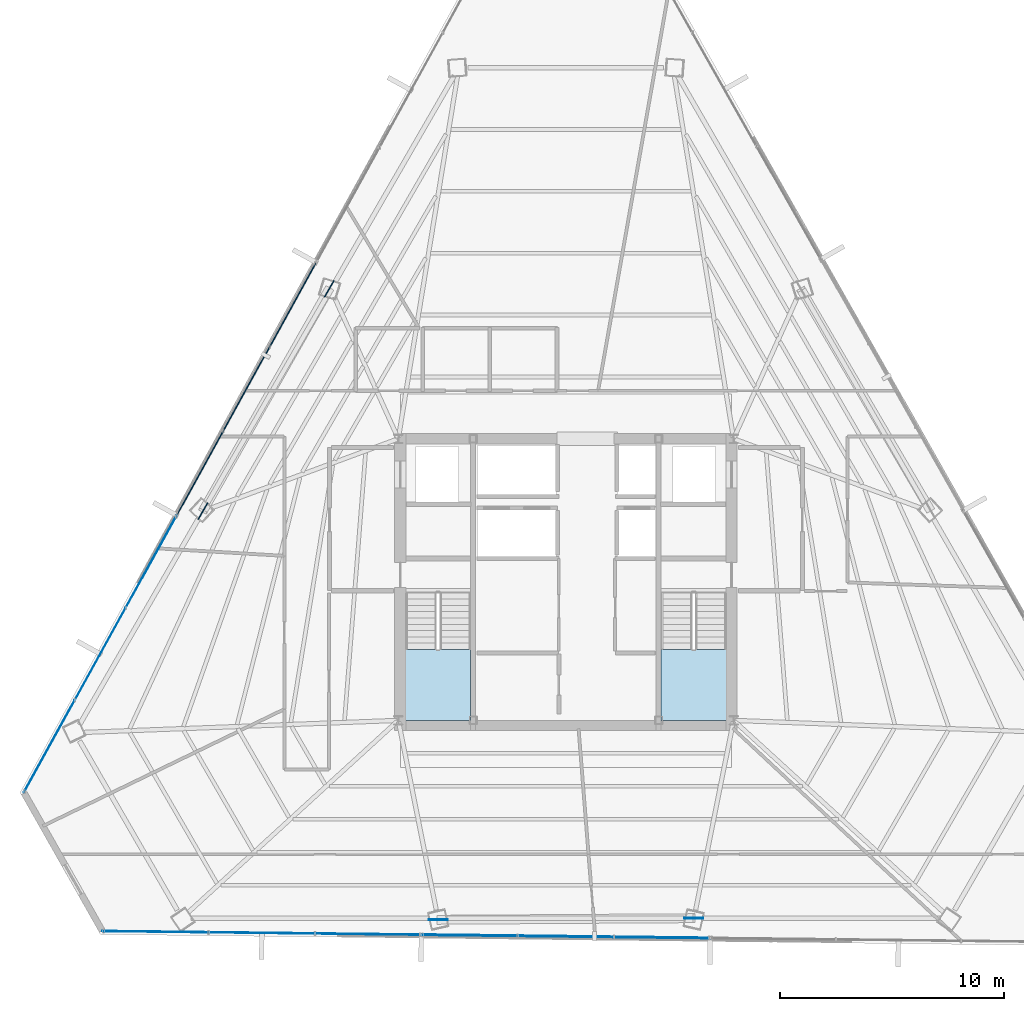
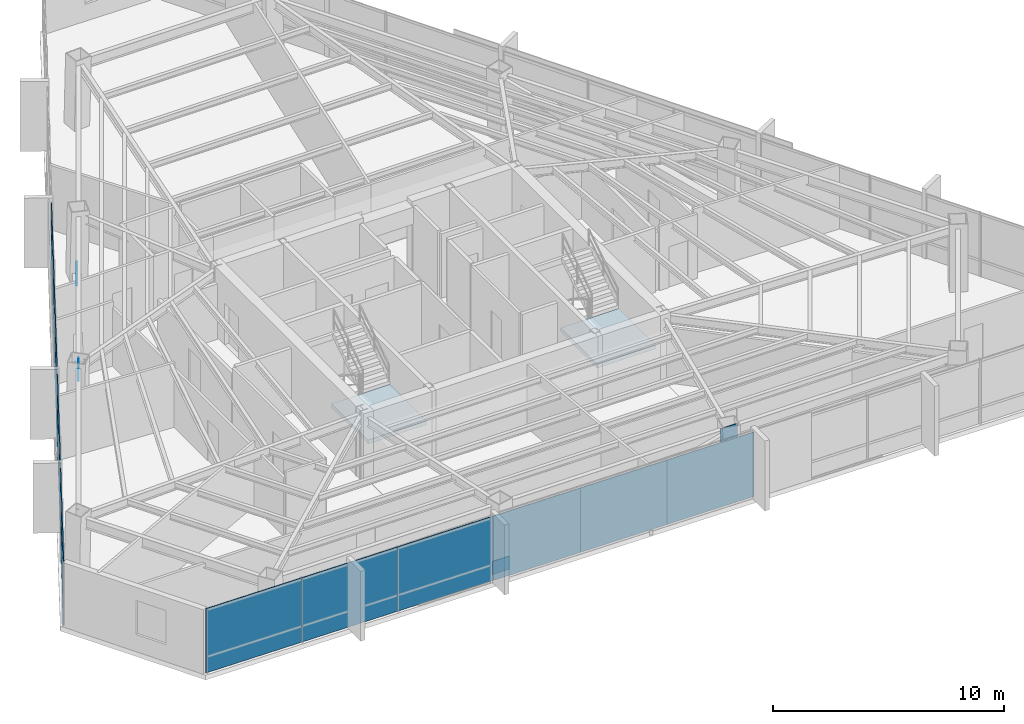
# One storey, part 33 of 40: 16 plates, 2 slabs, 6 elements without a shape of their own.
"""IFC4 building model written with IfcOpenShell, lengths in metres."""

from ifc_helpers import new_model, si_unit, direction, frame, origin, origin_2d, place, context, subcontext, project, spatial, polyline, rectangle, outline, extrude, source, transform, mapped, material, layer, layer_set, type_object, type_shapes, element, aggregate, save


model = new_model("IFC4")

# Units and contexts
model_context = context("Model", 3, precision=1e-05, world=origin(), true_north=direction((0.0, 1.0)))
body_context = subcontext(model_context, "Body", "Model", "MODEL_VIEW")
ifc_project = project(units=[si_unit("LENGTHUNIT", "METRE"), si_unit("AREAUNIT", "SQUARE_METRE"), si_unit("VOLUMEUNIT", "CUBIC_METRE"), si_unit("PLANEANGLEUNIT", "RADIAN"), si_unit("MASSUNIT", "GRAM", prefix="KILO")], contexts=[model_context])

# Site, building, storey
site_placement = place(None, origin())
site = spatial("IfcSite", under=ifc_project, at=site_placement, CompositionType="ELEMENT")
building_placement = place(site_placement, origin())
building = spatial("IfcBuilding", under=site, at=building_placement, Name="Caelisora Broadcast Tower", CompositionType="ELEMENT")
storey_placement = place(building_placement, frame((0.0, 0.0, 213.25)))
storey = spatial("IfcBuildingStorey", under=building, at=storey_placement, Name="L56", CompositionType="ELEMENT", Elevation=213.25)

# Stair, slab
ifc_material_1 = material(Name="Concrete 40 MPa (AS 3600 N40)", Category="concrete")
stair_type_1 = type_object("IfcStairType", Name="ST-1", PredefinedType="HALF_TURN_STAIR", material=ifc_material_1)
stair_1_placement = place(storey_placement, origin())
stair_1 = element("IfcStair", 1, at=stair_1_placement, inside=storey, type_object=stair_type_1, Name="L56 West Fire-Isolated Tower Stair", PredefinedType="HALF_TURN_STAIR")
ifc_layer_1 = layer(ifc_material_1, 0.199951171875, Name="Concrete 40 MPa (AS 3600 N40)")
ifc_layer_set_1 = layer_set([ifc_layer_1], Name="Concrete 40 MPa (AS 3600 N40)")
slab_type = type_object("IfcSlabType", Name="STL-1", PredefinedType="LANDING", material=ifc_layer_set_1)
slab_1_placement = place(storey_placement, frame((0.0, 0.0, 1.625)))
slab_1 = element("IfcSlab", 2, at=slab_1_placement, type_object=slab_type, Name="ST-1 landing 1", PredefinedType="LANDING", context=body_context, shape_type="SweptSolid", body=[
    extrude(outline(polyline([(30.820068359375, 20.580078125), (30.820068359375, 17.39990234375), (33.739990234375, 17.39990234375), (33.739990234375, 20.580078125), (30.820068359375, 20.580078125)])), origin(), (0.0, 0.0, 1.0), 0.199951171875),
])
aggregate(stair_1, [slab_1])

stair_type_2 = type_object("IfcStairType", Name="ST-2", PredefinedType="HALF_TURN_STAIR", material=ifc_material_1)
stair_2_placement = place(storey_placement, origin())
stair_2 = element("IfcStair", 3, at=stair_2_placement, inside=storey, type_object=stair_type_2, Name="L56 East Fire-Isolated Tower Stair", PredefinedType="HALF_TURN_STAIR")
slab_2_placement = place(storey_placement, frame((0.0, 0.0, 1.625)))
slab_2 = element("IfcSlab", 4, at=slab_2_placement, type_object=slab_type, Name="ST-2 landing 1", PredefinedType="LANDING", context=body_context, shape_type="SweptSolid", body=[
    extrude(outline(polyline([(42.260009765625, 20.580078125), (42.260009765625, 17.39990234375), (45.179931640625, 17.39990234375), (45.179931640625, 20.580078125), (42.260009765625, 20.580078125)])), origin(), (0.0, 0.0, 1.0), 0.199951171875),
])
aggregate(stair_2, [slab_2])

# Plates
ifc_material_2 = material(Name="Steel Grade 350 L15 (AS/NZS 3678)", Category="steel")
ifc_layer_2 = layer(ifc_material_2, 0.0400390625, Name="Steel Grade 350 L15 (AS/NZS 3678)")
ifc_layer_set_2 = layer_set([ifc_layer_2], Name="Steel Grade 350 L15 (AS/NZS 3678)")
plate_type_1 = type_object("IfcPlateType", Name="GP04", PredefinedType="USERDEFINED", material=ifc_layer_set_2)
shared_shape_1 = source(origin(), body_context, "Body", "SweptSolid", [
    extrude(rectangle(XDim=0.85009765625, YDim=0.0400390625, at=origin_2d()), origin(), (0.0, 0.0, 1.0), 0.699951171875),
])
type_shapes(plate_type_1, [shared_shape_1])
for number, where, z_axis, x_axis, name in (
    (5, (27.412353515625, 36.707275390625, -0.22998046875), (0.0, 0.0, 1.0), (-0.5, -0.866025403784, 0.0), "L56 gusset plate GP04 (ND-L56-C02B)"),
    (6, (21.755859375, 26.765380859375, 2.72998046875), (0.0, 0.0, 1.0), (-0.5, -0.866025403784, 0.0), "L56 gusset plate GP04 (ND-L56-C03T)"),
    (7, (32.2890625, 8.477294921875, -0.22998046875), (0.0, 0.0, 1.0), (1.0, 0.0, 0.0), "L56 gusset plate GP04 (ND-L56-C06B)"),
    (8, (43.727294921875, 8.549560546875, 2.72998046875), (0.0, 0.0, 1.0), (1.0, 0.0, 0.0), "L56 gusset plate GP04 (ND-L56-C07T)"),
):
    element("IfcPlate", number, at=place(storey_placement, frame(where, z_axis=z_axis, x_axis=x_axis)), inside=storey, type_object=plate_type_1, Name=name, ObjectType="GUSSET PLATE", PredefinedType="USERDEFINED", context=body_context, shape_type="MappedRepresentation", body=[
        mapped(shared_shape_1, transform((0.0, 0.0, 0.0), scale=1.0)),
    ])

# Curtain wall, plates
ifc_material_3 = material(Name="Unitised Aluminium Insulated Shadow-Box Spandrel Curtain Wall", Category="aluminium")
curtain_wall_type_1 = type_object("IfcCurtainWallType", Name="CW-SP2", PredefinedType="NOTDEFINED", material=ifc_material_3)
curtain_wall_1_placement = place(storey_placement, origin())
curtain_wall_1 = element("IfcCurtainWall", 9, at=curtain_wall_1_placement, inside=storey, type_object=curtain_wall_type_1, Name="L56 curtain wall CW-SP2", PredefinedType="NOTDEFINED")
ifc_material_4 = material(Name="Insulated Terracotta Shadow-Box Spandrel Panel", Category="aluminium")
ifc_layer_3 = layer(ifc_material_4, 0.0439453125, Name="Insulated Terracotta Shadow-Box Spandrel Panel")
ifc_layer_set_3 = layer_set([ifc_layer_3], Name="Insulated Terracotta Shadow-Box Spandrel Panel")
plate_type_2 = type_object("IfcPlateType", Name="CWP-10", PredefinedType="CURTAIN_PANEL", material=ifc_layer_set_3)
shared_shape_2 = source(origin(), body_context, "Body", "SweptSolid", [
    extrude(rectangle(XDim=4.3037109375, YDim=0.0439453125, at=origin_2d()), origin(), (0.0, 0.0, 1.0), 3.39990234375),
])
plate_1_placement = place(storey_placement, frame((42.294921875, 7.681884765625, 0.0), z_axis=(0.0, 0.0, 1.0), x_axis=(-0.99993365506, 0.011518918316, 0.0)))
plate_1 = element("IfcPlate", 10, at=plate_1_placement, type_object=plate_type_2, Name="L56-CW-B06 spandrel panel #1", PredefinedType="CURTAIN_PANEL", context=body_context, shape_type="MappedRepresentation", body=[
    mapped(shared_shape_2, transform((0.0, 0.0, 0.0), scale=1.0)),
])
plate_2_placement = place(storey_placement, frame((37.991455078125, 7.731201171875, 0.0), z_axis=(0.0, 0.0, 1.0), x_axis=(-0.99993365506, 0.011518918316, 0.0)))
plate_2 = element("IfcPlate", 11, at=plate_2_placement, type_object=plate_type_2, Name="L56-CW-B06 spandrel panel #2", PredefinedType="CURTAIN_PANEL", context=body_context, shape_type="MappedRepresentation", body=[
    mapped(shared_shape_2, transform((0.0, 0.0, 0.0), scale=1.0)),
])
plate_3_placement = place(storey_placement, frame((33.68798828125, 7.780517578125, 0.0), z_axis=(0.0, 0.0, 1.0), x_axis=(-0.99993365506, 0.011518918316, 0.0)))
plate_3 = element("IfcPlate", 12, at=plate_3_placement, type_object=plate_type_2, Name="L56-CW-B06 spandrel panel #3", PredefinedType="CURTAIN_PANEL", context=body_context, shape_type="MappedRepresentation", body=[
    mapped(shared_shape_2, transform((0.0, 0.0, 0.0), scale=1.0)),
])
aggregate(curtain_wall_1, [plate_1, plate_2, plate_3])

ifc_material_5 = material(Name="Unitised Aluminium and Low-E Glass Curtain Wall", Category="glass")
curtain_wall_type_2 = type_object("IfcCurtainWallType", Name="CW-Z4", PredefinedType="NOTDEFINED", material=ifc_material_5)
curtain_wall_2_placement = place(storey_placement, origin())
curtain_wall_2 = element("IfcCurtainWall", 13, at=curtain_wall_2_placement, inside=storey, type_object=curtain_wall_type_2, Name="L56 curtain wall CW-Z4", PredefinedType="NOTDEFINED")
ifc_material_6 = material(Name="Double Glazed Low-E Argon IGU", Category="glass")
ifc_layer_4 = layer(ifc_material_6, 0.030029296875, Name="Double Glazed Low-E Argon IGU")
ifc_layer_set_4 = layer_set([ifc_layer_4], Name="Double Glazed Low-E Argon IGU")
plate_type_3 = type_object("IfcPlateType", Name="CWP-05", PredefinedType="CURTAIN_PANEL", material=ifc_layer_set_4)
shared_shape_3 = source(origin(), body_context, "Body", "SweptSolid", [
    extrude(rectangle(XDim=4.755859375, YDim=0.030029296875, at=origin_2d()), origin(), (0.0, 0.0, 1.0), 3.39990234375),
])
plate_4_placement = place(storey_placement, frame((29.148681640625, 7.832763671875, 0.0), z_axis=(0.0, 0.0, 1.0), x_axis=(-0.99993365506, 0.011518918316, 0.0)))
plate_4 = element("IfcPlate", 14, at=plate_4_placement, type_object=plate_type_3, Name="L56-CW-B07 glazed panel #1", PredefinedType="CURTAIN_PANEL", context=body_context, shape_type="MappedRepresentation", body=[
    mapped(shared_shape_3, transform((0.0, 0.0, 0.0), scale=1.0)),
])
plate_5_placement = place(storey_placement, frame((24.393310546875, 7.88720703125, 0.0), z_axis=(0.0, 0.0, 1.0), x_axis=(-0.99993365506, 0.011518918316, 0.0)))
plate_5 = element("IfcPlate", 15, at=plate_5_placement, type_object=plate_type_3, Name="L56-CW-B07 glazed panel #2", PredefinedType="CURTAIN_PANEL", context=body_context, shape_type="MappedRepresentation", body=[
    mapped(shared_shape_3, transform((0.0, 0.0, 0.0), scale=1.0)),
])
plate_6_placement = place(storey_placement, frame((19.6376953125, 7.941650390625, 0.0), z_axis=(0.0, 0.0, 1.0), x_axis=(-0.99993365506, 0.011518918316, 0.0)))
plate_6 = element("IfcPlate", 16, at=plate_6_placement, type_object=plate_type_3, Name="L56-CW-B07 glazed panel #3", PredefinedType="CURTAIN_PANEL", context=body_context, shape_type="MappedRepresentation", body=[
    mapped(shared_shape_3, transform((0.0, 0.0, 0.0), scale=1.0)),
])
aggregate(curtain_wall_2, [plate_4, plate_5, plate_6])

curtain_wall_3_placement = place(storey_placement, origin())
curtain_wall_3 = element("IfcCurtainWall", 17, at=curtain_wall_3_placement, inside=storey, type_object=curtain_wall_type_2, Name="L56 curtain wall CW-Z4", PredefinedType="NOTDEFINED")
shared_shape_4 = source(origin(), body_context, "Body", "SweptSolid", [
    extrude(rectangle(XDim=4.7197265625, YDim=0.030029296875, at=origin_2d()), origin(), (0.0, 0.0, 1.0), 3.39990234375),
])
type_shapes(plate_type_3, [shared_shape_3, shared_shape_4])
plate_7_placement = place(storey_placement, frame((14.8857421875, 16.2373046875, 0.0), z_axis=(0.0, 0.0, 1.0), x_axis=(0.482976759048, 0.875633171036, 0.0)))
plate_7 = element("IfcPlate", 18, at=plate_7_placement, type_object=plate_type_3, Name="L56-CW-B09 glazed panel #1", PredefinedType="CURTAIN_PANEL", context=body_context, shape_type="MappedRepresentation", body=[
    mapped(shared_shape_4, transform((0.0, 0.0, 0.0), scale=1.0)),
])
plate_8_placement = place(storey_placement, frame((17.1650390625, 20.370361328125, 0.0), z_axis=(0.0, 0.0, 1.0), x_axis=(0.482976759048, 0.875633171036, 0.0)))
plate_8 = element("IfcPlate", 19, at=plate_8_placement, type_object=plate_type_3, Name="L56-CW-B09 glazed panel #2", PredefinedType="CURTAIN_PANEL", context=body_context, shape_type="MappedRepresentation", body=[
    mapped(shared_shape_4, transform((0.0, 0.0, 0.0), scale=1.0)),
])
plate_9_placement = place(storey_placement, frame((19.4443359375, 24.503173828125, 0.0), z_axis=(0.0, 0.0, 1.0), x_axis=(0.482976759048, 0.875633171036, 0.0)))
plate_9 = element("IfcPlate", 20, at=plate_9_placement, type_object=plate_type_3, Name="L56-CW-B09 glazed panel #3", PredefinedType="CURTAIN_PANEL", context=body_context, shape_type="MappedRepresentation", body=[
    mapped(shared_shape_4, transform((0.0, 0.0, 0.0), scale=1.0)),
])
aggregate(curtain_wall_3, [plate_7, plate_8, plate_9])

curtain_wall_4_placement = place(storey_placement, origin())
curtain_wall_4 = element("IfcCurtainWall", 21, at=curtain_wall_4_placement, inside=storey, type_object=curtain_wall_type_1, Name="L56 curtain wall CW-SP2", PredefinedType="NOTDEFINED")
shared_shape_5 = source(origin(), body_context, "Body", "SweptSolid", [
    extrude(rectangle(XDim=4.30322265625, YDim=0.0439453125, at=origin_2d()), origin(), (0.0, 0.0, 1.0), 3.39990234375),
])
type_shapes(plate_type_2, [shared_shape_2, shared_shape_5])
plate_10_placement = place(storey_placement, frame((21.6279296875, 28.46240234375, 0.0), z_axis=(0.0, 0.0, 1.0), x_axis=(0.482976759048, 0.875633171036, 0.0)))
plate_10 = element("IfcPlate", 22, at=plate_10_placement, type_object=plate_type_2, Name="L56-CW-B10 spandrel panel #1", PredefinedType="CURTAIN_PANEL", context=body_context, shape_type="MappedRepresentation", body=[
    mapped(shared_shape_5, transform((0.0, 0.0, 0.0), scale=1.0)),
])
plate_11_placement = place(storey_placement, frame((23.706298828125, 32.230712890625, 0.0), z_axis=(0.0, 0.0, 1.0), x_axis=(0.482976759048, 0.875633171036, 0.0)))
plate_11 = element("IfcPlate", 23, at=plate_11_placement, type_object=plate_type_2, Name="L56-CW-B10 spandrel panel #2", PredefinedType="CURTAIN_PANEL", context=body_context, shape_type="MappedRepresentation", body=[
    mapped(shared_shape_5, transform((0.0, 0.0, 0.0), scale=1.0)),
])
plate_12_placement = place(storey_placement, frame((25.784423828125, 35.998779296875, 0.0), z_axis=(0.0, 0.0, 1.0), x_axis=(0.482976759048, 0.875633171036, 0.0)))
plate_12 = element("IfcPlate", 24, at=plate_12_placement, type_object=plate_type_2, Name="L56-CW-B10 spandrel panel #3", PredefinedType="CURTAIN_PANEL", context=body_context, shape_type="MappedRepresentation", body=[
    mapped(shared_shape_5, transform((0.0, 0.0, 0.0), scale=1.0)),
])
aggregate(curtain_wall_4, [plate_10, plate_11, plate_12])

save(model, "model.ifc")
